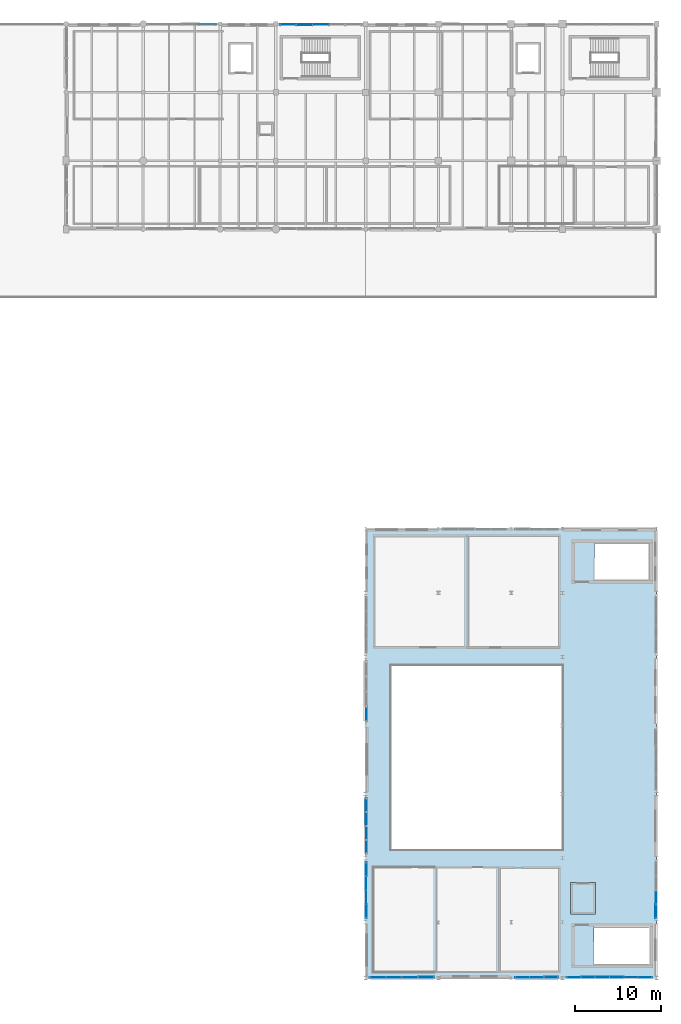
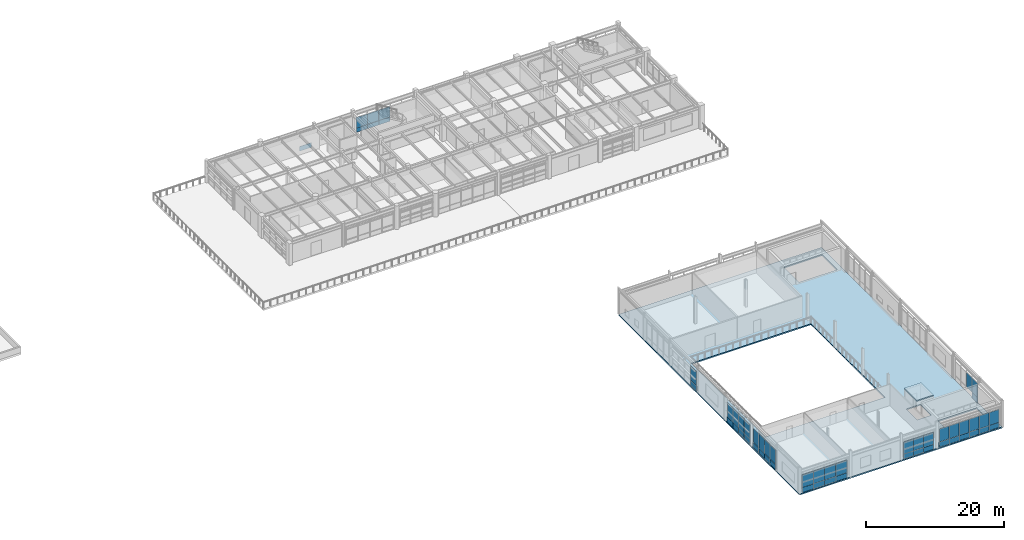
# One storey, part 43 of 56: 54 plates, 2 slabs, 9 elements without a shape of their own.
"""IFC4 building model written with IfcOpenShell, lengths in metres."""

from ifc_helpers import new_model, si_unit, direction, frame, origin, origin_2d, place, context, subcontext, project, spatial, polyline, rectangle, outline, extrude, material, layer, layer_set, type_object, element, aggregate, save


model = new_model("IFC4")

# Units and contexts
model_context = context("Model", 3, precision=1e-05, world=origin(), true_north=direction((0.0, 1.0)))
body_context = subcontext(model_context, "Body", "Model", "MODEL_VIEW")
ifc_project = project(units=[si_unit("LENGTHUNIT", "METRE"), si_unit("AREAUNIT", "SQUARE_METRE"), si_unit("VOLUMEUNIT", "CUBIC_METRE"), si_unit("PLANEANGLEUNIT", "RADIAN"), si_unit("MASSUNIT", "GRAM", prefix="KILO"), si_unit("THERMODYNAMICTEMPERATUREUNIT", "KELVIN"), si_unit("POWERUNIT", "WATT")], contexts=[model_context])

# Site, building, storey
site_placement = place(None, origin())
site = spatial("IfcSite", under=ifc_project, at=site_placement, CompositionType="ELEMENT")
building_placement = place(site_placement, origin())
building = spatial("IfcBuilding", under=site, at=building_placement, Name="Tepalcoro Natatorium and Aquatics Centre", CompositionType="ELEMENT")
storey_placement = place(building_placement, frame((0.0, 0.0, 14.800048828125)))
storey = spatial("IfcBuildingStorey", under=building, at=storey_placement, Name="L03", CompositionType="ELEMENT", Elevation=14.800048828125)

# Curtain wall, plate
ifc_material_1 = material(Name="Bronze-Anodised Extruded Aluminium Alloy EN AW-6063 T6", Category="aluminium")
curtain_wall_type_1 = type_object("IfcCurtainWallType", Name="CW_V2_DIVING", PredefinedType="USERDEFINED", material=ifc_material_1)
curtain_wall_1_placement = place(storey_placement, origin())
curtain_wall_1 = element("IfcCurtainWall", 1, at=curtain_wall_1_placement, inside=storey, type_object=curtain_wall_type_1, Name="V2 L03 S Unitised Curtain Wall Bay 1", ObjectType="FACETED SOLAR GLAZING", PredefinedType="USERDEFINED")
ifc_material_2 = material(Name="Solar-Control Bronze Tempered Low-E Double Glazing", Category="glass")
ifc_layer_1 = layer(ifc_material_2, 0.048095703125)
ifc_layer_set_1 = layer_set([ifc_layer_1], Name="Solar-Control Bronze Tempered Low-E Double Glazing")
plate_type_1 = type_object("IfcPlateType", Name="PL_ACOUSTIC_IGU_48", PredefinedType="CURTAIN_PANEL", material=ifc_layer_set_1)
plate_1_placement = place(storey_placement, frame((145.3076171875, 6.576171875, 0.949951171875), z_axis=(0.0, 0.0, 1.0), x_axis=(1.0, 0.0, 0.0)))
plate_1 = element("IfcPlate", 2, at=plate_1_placement, type_object=plate_type_1, Name="CW_V2_DIVING Insulated Glazing Unit", PredefinedType="CURTAIN_PANEL", context=body_context, shape_type="SweptSolid", body=[
    extrude(rectangle(XDim=1.864990234375, YDim=0.048095703125, at=origin_2d()), origin(), (0.0, 0.0, 1.0), 2.25),
])

curtain_wall_type_2 = type_object("IfcCurtainWallType", Name="CW_V4_VILLAGE", PredefinedType="USERDEFINED", material=ifc_material_1)
curtain_wall_2_placement = place(storey_placement, origin())
curtain_wall_2 = element("IfcCurtainWall", 3, at=curtain_wall_2_placement, inside=storey, type_object=curtain_wall_type_2, Name="V2 L03 S Unitised Curtain Wall Bay 3", ObjectType="UNITISED STOREFRONT", PredefinedType="USERDEFINED")
plate_2_placement = place(storey_placement, frame((160.320068359375, 6.576171875, 0.912109375), z_axis=(0.0, 0.0, 1.0), x_axis=(1.0, 0.0, 0.0)))
plate_2 = element("IfcPlate", 4, at=plate_2_placement, type_object=plate_type_1, Name="CW_V4_VILLAGE Insulated Glazing Unit", PredefinedType="CURTAIN_PANEL", context=body_context, shape_type="SweptSolid", body=[
    extrude(rectangle(XDim=1.659912109375, YDim=0.048095703125, at=origin_2d()), origin(), (0.0, 0.0, 1.0), 2.135986328125),
])

# Curtain wall, plates
curtain_wall_type_3 = type_object("IfcCurtainWallType", Name="CW_V5_LOWER", PredefinedType="USERDEFINED", material=ifc_material_1)
curtain_wall_3_placement = place(storey_placement, origin())
curtain_wall_3 = element("IfcCurtainWall", 5, at=curtain_wall_3_placement, inside=storey, type_object=curtain_wall_type_3, Name="V2 L03 S Unitised Curtain Wall Bay 4", ObjectType="UNITISED STOREFRONT", PredefinedType="USERDEFINED")
plate_3_placement = place(storey_placement, frame((169.663330078125, 6.580078125, 0.9599609375), z_axis=(0.0, 0.0, 1.0), x_axis=(1.0, 0.0, 0.0)))
plate_3 = element("IfcPlate", 6, at=plate_3_placement, type_object=plate_type_1, Name="CW_V5_LOWER Insulated Glazing Unit", PredefinedType="CURTAIN_PANEL", context=body_context, shape_type="SweptSolid", body=[
    extrude(rectangle(XDim=1.6533203125, YDim=0.048095703125, at=origin_2d()), origin(), (0.0, 0.0, 1.0), 2.287109375),
])
plate_4_placement = place(storey_placement, frame((174.683349609375, 6.580078125, 0.9599609375), z_axis=(0.0, 0.0, 1.0), x_axis=(1.0, 0.0, 0.0)))
plate_4 = element("IfcPlate", 7, at=plate_4_placement, type_object=plate_type_1, Name="CW_V5_LOWER Insulated Glazing Unit", PredefinedType="CURTAIN_PANEL", context=body_context, shape_type="SweptSolid", body=[
    extrude(rectangle(XDim=1.6533203125, YDim=0.048095703125, at=origin_2d()), origin(), (0.0, 0.0, 1.0), 2.287109375),
])

# Curtain wall, plate
curtain_wall_type_4 = type_object("IfcCurtainWallType", Name="CW_LEAN_T1_NS", PredefinedType="USERDEFINED", material=ifc_material_1)
curtain_wall_4_placement = place(storey_placement, origin())
curtain_wall_4 = element("IfcCurtainWall", 8, at=curtain_wall_4_placement, inside=storey, type_object=curtain_wall_type_4, Name="V2 L03 W Unitised Curtain Wall Bay 2", ObjectType="FACETED SOLAR GLAZING", PredefinedType="USERDEFINED")
plate_5_placement = place(storey_placement, frame((142.06494140625, 17.5673828125, 0.9599609375), z_axis=(0.0, 0.0, 1.0), x_axis=(1.0, 0.0, 0.0)))
plate_5 = element("IfcPlate", 9, at=plate_5_placement, type_object=plate_type_1, Name="CW_LEAN_T1_NS Insulated Glazing Unit", PredefinedType="CURTAIN_PANEL", context=body_context, shape_type="SweptSolid", body=[
    extrude(rectangle(XDim=0.048095703125, YDim=1.614990234375, at=origin_2d()), origin(), (0.0, 0.0, 1.0), 2.530029296875),
])

curtain_wall_type_5 = type_object("IfcCurtainWallType", Name="CW_LEAN_T1_EW", PredefinedType="USERDEFINED", material=ifc_material_1)
curtain_wall_5_placement = place(storey_placement, origin())
curtain_wall_5 = element("IfcCurtainWall", 10, at=curtain_wall_5_placement, inside=storey, type_object=curtain_wall_type_5, Name="V2 L03 W Unitised Curtain Wall Bay 3", ObjectType="FACETED SOLAR GLAZING", PredefinedType="USERDEFINED")
plate_6_placement = place(storey_placement, frame((142.0712890625, 23.4326171875, 0.9599609375), z_axis=(0.0, 0.0, 1.0), x_axis=(1.0, 0.0, 0.0)))
plate_6 = element("IfcPlate", 11, at=plate_6_placement, type_object=plate_type_1, Name="CW_LEAN_T1_EW Insulated Glazing Unit", PredefinedType="CURTAIN_PANEL", context=body_context, shape_type="SweptSolid", body=[
    extrude(rectangle(XDim=0.048095703125, YDim=1.614990234375, at=origin_2d()), origin(), (0.0, 0.0, 1.0), 2.530029296875),
])

curtain_wall_type_6 = type_object("IfcCurtainWallType", Name="CW_LEAN_T2_EW", PredefinedType="USERDEFINED", material=ifc_material_1)
curtain_wall_6_placement = place(storey_placement, origin())
curtain_wall_6 = element("IfcCurtainWall", 12, at=curtain_wall_6_placement, inside=storey, type_object=curtain_wall_type_6, Name="V2 L03 W Unitised Curtain Wall Bay 5", ObjectType="FACETED SOLAR GLAZING", PredefinedType="USERDEFINED")
plate_7_placement = place(storey_placement, frame((142.0712890625, 37.360107421875, 0.9599609375), z_axis=(0.0, 0.0, 1.0), x_axis=(1.0, 0.0, 0.0)))
plate_7 = element("IfcPlate", 13, at=plate_7_placement, type_object=plate_type_1, Name="CW_LEAN_T2_EW Insulated Glazing Unit", PredefinedType="CURTAIN_PANEL", context=body_context, shape_type="SweptSolid", body=[
    extrude(rectangle(XDim=0.048095703125, YDim=1.739990234375, at=origin_2d()), origin(), (0.0, 0.0, 1.0), 2.530029296875),
])

curtain_wall_type_7 = type_object("IfcCurtainWallType", Name="CW_LEAN_T2_NS", PredefinedType="USERDEFINED", material=ifc_material_1)
curtain_wall_7_placement = place(storey_placement, origin())
curtain_wall_7 = element("IfcCurtainWall", 14, at=curtain_wall_7_placement, inside=storey, type_object=curtain_wall_type_7, Name="V2 L03 E Unitised Curtain Wall Bay 2", ObjectType="FACETED SOLAR GLAZING", PredefinedType="USERDEFINED")
plate_8_placement = place(storey_placement, frame((175.923828125, 15.9326171875, 0.9599609375), z_axis=(0.0, 0.0, 1.0), x_axis=(1.0, 0.0, 0.0)))
plate_8 = element("IfcPlate", 15, at=plate_8_placement, type_object=plate_type_1, Name="CW_LEAN_T2_NS Insulated Glazing Unit", PredefinedType="CURTAIN_PANEL", context=body_context, shape_type="SweptSolid", body=[
    extrude(rectangle(XDim=0.048095703125, YDim=1.614990234375, at=origin_2d()), origin(), (0.0, 0.0, 1.0), 2.530029296875),
])

curtain_wall_8_placement = place(storey_placement, origin())
curtain_wall_8 = element("IfcCurtainWall", 16, at=curtain_wall_8_placement, inside=storey, type_object=curtain_wall_type_6, Name="V5 L03 N Unitised Curtain Wall Bay 4", ObjectType="FACETED SOLAR GLAZING", PredefinedType="USERDEFINED")
plate_9_placement = place(storey_placement, frame((132.93408203125, 117.919921875, 0.804443359375), z_axis=(0.0, 0.0, 1.0), x_axis=(1.0, 0.0, 0.0)))
plate_9 = element("IfcPlate", 17, at=plate_9_placement, type_object=plate_type_1, Name="CW_LEAN_T2_EW Insulated Glazing Unit", PredefinedType="CURTAIN_PANEL", context=body_context, shape_type="SweptSolid", body=[
    extrude(rectangle(XDim=1.887939453125, YDim=0.048095703125, at=origin_2d()), origin(), (0.0, 0.0, 1.0), 1.85498046875),
])

# Plate
ifc_layer_2 = layer(ifc_material_2, 0.028076171875)
ifc_layer_set_2 = layer_set([ifc_layer_2], Name="Solar-Control Bronze Tempered Low-E Double Glazing")
plate_type_2 = type_object("IfcPlateType", Name="PL_BRONZE_IGU_28", PredefinedType="CURTAIN_PANEL", material=ifc_layer_set_2)
plate_10_placement = place(storey_placement, frame((143.422607421875, 6.576171875, 0.949951171875), z_axis=(0.0, 0.0, 1.0), x_axis=(1.0, 0.0, 0.0)))
plate_10 = element("IfcPlate", 18, at=plate_10_placement, type_object=plate_type_2, Name="CW_V2_DIVING Insulated Glazing Unit", PredefinedType="CURTAIN_PANEL", context=body_context, shape_type="SweptSolid", body=[
    extrude(rectangle(XDim=1.864990234375, YDim=0.028076171875, at=origin_2d()), origin(), (0.0, 0.0, 1.0), 2.25),
])

plate_11_placement = place(storey_placement, frame((149.077392578125, 6.576171875, 0.949951171875), z_axis=(0.0, 0.0, 1.0), x_axis=(1.0, 0.0, 0.0)))
plate_11 = element("IfcPlate", 19, at=plate_11_placement, type_object=plate_type_2, Name="CW_V2_DIVING Insulated Glazing Unit", PredefinedType="CURTAIN_PANEL", context=body_context, shape_type="SweptSolid", body=[
    extrude(rectangle(XDim=1.864990234375, YDim=0.028076171875, at=origin_2d()), origin(), (0.0, 0.0, 1.0), 2.25),
])

plate_12_placement = place(storey_placement, frame((163.679931640625, 6.576171875, 0.912109375), z_axis=(0.0, 0.0, 1.0), x_axis=(1.0, 0.0, 0.0)))
plate_12 = element("IfcPlate", 20, at=plate_12_placement, type_object=plate_type_2, Name="CW_V4_VILLAGE Insulated Glazing Unit", PredefinedType="CURTAIN_PANEL", context=body_context, shape_type="SweptSolid", body=[
    extrude(rectangle(XDim=1.659912109375, YDim=0.028076171875, at=origin_2d()), origin(), (0.0, 0.0, 1.0), 2.135986328125),
])

plate_13_placement = place(storey_placement, frame((167.989990234375, 6.580078125, 0.9599609375), z_axis=(0.0, 0.0, 1.0), x_axis=(1.0, 0.0, 0.0)))
plate_13 = element("IfcPlate", 21, at=plate_13_placement, type_object=plate_type_2, Name="CW_V5_LOWER Insulated Glazing Unit", PredefinedType="CURTAIN_PANEL", context=body_context, shape_type="SweptSolid", body=[
    extrude(rectangle(XDim=1.6533203125, YDim=0.028076171875, at=origin_2d()), origin(), (0.0, 0.0, 1.0), 2.287109375),
])

plate_14_placement = place(storey_placement, frame((173.010009765625, 6.580078125, 0.9599609375), z_axis=(0.0, 0.0, 1.0), x_axis=(1.0, 0.0, 0.0)))
plate_14 = element("IfcPlate", 22, at=plate_14_placement, type_object=plate_type_2, Name="CW_V5_LOWER Insulated Glazing Unit", PredefinedType="CURTAIN_PANEL", context=body_context, shape_type="SweptSolid", body=[
    extrude(rectangle(XDim=1.6533203125, YDim=0.028076171875, at=origin_2d()), origin(), (0.0, 0.0, 1.0), 2.287109375),
])

plate_15_placement = place(storey_placement, frame((142.06494140625, 15.9326171875, 0.9599609375), z_axis=(0.0, 0.0, 1.0), x_axis=(1.0, 0.0, 0.0)))
plate_15 = element("IfcPlate", 23, at=plate_15_placement, type_object=plate_type_2, Name="CW_LEAN_T1_NS Insulated Glazing Unit", PredefinedType="CURTAIN_PANEL", context=body_context, shape_type="SweptSolid", body=[
    extrude(rectangle(XDim=0.028076171875, YDim=1.614990234375, at=origin_2d()), origin(), (0.0, 0.0, 1.0), 2.530029296875),
])

plate_16_placement = place(storey_placement, frame((142.0712890625, 21.797607421875, 0.9599609375), z_axis=(0.0, 0.0, 1.0), x_axis=(1.0, 0.0, 0.0)))
plate_16 = element("IfcPlate", 24, at=plate_16_placement, type_object=plate_type_2, Name="CW_LEAN_T1_EW Insulated Glazing Unit", PredefinedType="CURTAIN_PANEL", context=body_context, shape_type="SweptSolid", body=[
    extrude(rectangle(XDim=0.028076171875, YDim=1.614990234375, at=origin_2d()), origin(), (0.0, 0.0, 1.0), 2.530029296875),
])

plate_17_placement = place(storey_placement, frame((142.0712890625, 26.702392578125, 0.9599609375), z_axis=(0.0, 0.0, 1.0), x_axis=(1.0, 0.0, 0.0)))
plate_17 = element("IfcPlate", 25, at=plate_17_placement, type_object=plate_type_2, Name="CW_LEAN_T1_EW Insulated Glazing Unit", PredefinedType="CURTAIN_PANEL", context=body_context, shape_type="SweptSolid", body=[
    extrude(rectangle(XDim=0.028076171875, YDim=1.614990234375, at=origin_2d()), origin(), (0.0, 0.0, 1.0), 2.530029296875),
])

plate_18_placement = place(storey_placement, frame((175.923828125, 14.297607421875, 0.9599609375), z_axis=(0.0, 0.0, 1.0), x_axis=(1.0, 0.0, 0.0)))
plate_18 = element("IfcPlate", 26, at=plate_18_placement, type_object=plate_type_2, Name="CW_LEAN_T2_NS Insulated Glazing Unit", PredefinedType="CURTAIN_PANEL", context=body_context, shape_type="SweptSolid", body=[
    extrude(rectangle(XDim=0.028076171875, YDim=1.614990234375, at=origin_2d()), origin(), (0.0, 0.0, 1.0), 2.530029296875),
])

plate_19_placement = place(storey_placement, frame((136.75, 117.919921875, 0.804443359375), z_axis=(0.0, 0.0, 1.0), x_axis=(1.0, 0.0, 0.0)))
plate_19 = element("IfcPlate", 27, at=plate_19_placement, type_object=plate_type_2, Name="CW_LEAN_T2_EW Insulated Glazing Unit", PredefinedType="CURTAIN_PANEL", context=body_context, shape_type="SweptSolid", body=[
    extrude(rectangle(XDim=1.887939453125, YDim=0.028076171875, at=origin_2d()), origin(), (0.0, 0.0, 1.0), 1.85498046875),
])

ifc_material_3 = material(Name="Jalisco Cantera Rosa Volcanic Tuff Ashlar Masonry", Category="masonry")
ifc_layer_3 = layer(ifc_material_3, 0.090087890625)
ifc_layer_set_3 = layer_set([ifc_layer_3], Name="Jalisco Cantera Rosa Volcanic Tuff Ashlar Masonry")
plate_type_3 = type_object("IfcPlateType", Name="PL_CANTERA_90", PredefinedType="SHEET", material=ifc_layer_set_3)
plate_20_placement = place(storey_placement, frame((149.077392578125, 6.576171875, 0.044921875), z_axis=(0.0, 0.0, 1.0), x_axis=(1.0, 0.0, 0.0)))
plate_20 = element("IfcPlate", 28, at=plate_20_placement, type_object=plate_type_3, Name="CW_V2_DIVING Spandrel & Screen Panel", PredefinedType="SHEET", context=body_context, shape_type="SweptSolid", body=[
    extrude(rectangle(XDim=1.864990234375, YDim=0.090087890625, at=origin_2d()), origin(), (0.0, 0.0, 1.0), 0.89990234375),
])

plate_21_placement = place(storey_placement, frame((163.679931640625, 6.576171875, 0.044921875), z_axis=(0.0, 0.0, 1.0), x_axis=(1.0, 0.0, 0.0)))
plate_21 = element("IfcPlate", 29, at=plate_21_placement, type_object=plate_type_3, Name="CW_V4_VILLAGE Spandrel & Screen Panel", PredefinedType="SHEET", context=body_context, shape_type="SweptSolid", body=[
    extrude(rectangle(XDim=1.659912109375, YDim=0.090087890625, at=origin_2d()), origin(), (0.0, 0.0, 1.0), 0.862060546875),
])

plate_22_placement = place(storey_placement, frame((167.989990234375, 6.580078125, 0.044921875), z_axis=(0.0, 0.0, 1.0), x_axis=(1.0, 0.0, 0.0)))
plate_22 = element("IfcPlate", 30, at=plate_22_placement, type_object=plate_type_3, Name="CW_V5_LOWER Spandrel & Screen Panel", PredefinedType="SHEET", context=body_context, shape_type="SweptSolid", body=[
    extrude(rectangle(XDim=1.6533203125, YDim=0.090087890625, at=origin_2d()), origin(), (0.0, 0.0, 1.0), 0.909912109375),
])

plate_23_placement = place(storey_placement, frame((142.06494140625, 19.202392578125, 0.044921875), z_axis=(0.0, 0.0, 1.0), x_axis=(1.0, 0.0, 0.0)))
plate_23 = element("IfcPlate", 31, at=plate_23_placement, type_object=plate_type_3, Name="CW_LEAN_T1_NS Spandrel & Screen Panel", PredefinedType="SHEET", context=body_context, shape_type="SweptSolid", body=[
    extrude(rectangle(XDim=0.090087890625, YDim=1.614990234375, at=origin_2d()), origin(), (0.0, 0.0, 1.0), 0.909912109375),
])

plate_24_placement = place(storey_placement, frame((142.0712890625, 25.0673828125, 0.044921875), z_axis=(0.0, 0.0, 1.0), x_axis=(1.0, 0.0, 0.0)))
plate_24 = element("IfcPlate", 32, at=plate_24_placement, type_object=plate_type_3, Name="CW_LEAN_T1_EW Spandrel & Screen Panel", PredefinedType="SHEET", context=body_context, shape_type="SweptSolid", body=[
    extrude(rectangle(XDim=0.090087890625, YDim=1.614990234375, at=origin_2d()), origin(), (0.0, 0.0, 1.0), 0.909912109375),
])

plate_25_placement = place(storey_placement, frame((132.93408203125, 117.919921875, 0.044921875), z_axis=(0.0, 0.0, 1.0), x_axis=(1.0, 0.0, 0.0)))
plate_25 = element("IfcPlate", 33, at=plate_25_placement, type_object=plate_type_3, Name="CW_LEAN_T2_EW Spandrel & Screen Panel", PredefinedType="SHEET", context=body_context, shape_type="SweptSolid", body=[
    extrude(rectangle(XDim=1.887939453125, YDim=0.090087890625, at=origin_2d()), origin(), (0.0, 0.0, 1.0), 0.75439453125),
])

ifc_material_4 = material(Name="Clear Tempered Low-E Safety Glazing", Category="glass")
ifc_layer_4 = layer(ifc_material_4, 0.011962890625)
ifc_layer_set_4 = layer_set([ifc_layer_4], Name="Clear Tempered Low-E Safety Glazing")
plate_type_4 = type_object("IfcPlateType", Name="PL_GLASS_12", PredefinedType="CURTAIN_PANEL", material=ifc_layer_set_4)
plate_26_placement = place(storey_placement, frame((147.1923828125, 6.576171875, 0.949951171875), z_axis=(0.0, 0.0, 1.0), x_axis=(1.0, 0.0, 0.0)))
plate_26 = element("IfcPlate", 34, at=plate_26_placement, type_object=plate_type_4, Name="CW_V2_DIVING Insulated Glazing Unit", PredefinedType="CURTAIN_PANEL", context=body_context, shape_type="SweptSolid", body=[
    extrude(rectangle(XDim=1.864990234375, YDim=0.011962890625, at=origin_2d()), origin(), (0.0, 0.0, 1.0), 2.25),
])

plate_27_placement = place(storey_placement, frame((162.0, 6.576171875, 0.912109375), z_axis=(0.0, 0.0, 1.0), x_axis=(1.0, 0.0, 0.0)))
plate_27 = element("IfcPlate", 35, at=plate_27_placement, type_object=plate_type_4, Name="CW_V4_VILLAGE Insulated Glazing Unit", PredefinedType="CURTAIN_PANEL", context=body_context, shape_type="SweptSolid", body=[
    extrude(rectangle(XDim=1.659912109375, YDim=0.011962890625, at=origin_2d()), origin(), (0.0, 0.0, 1.0), 2.135986328125),
])

plate_28_placement = place(storey_placement, frame((166.316650390625, 6.580078125, 0.9599609375), z_axis=(0.0, 0.0, 1.0), x_axis=(1.0, 0.0, 0.0)))
plate_28 = element("IfcPlate", 36, at=plate_28_placement, type_object=plate_type_4, Name="CW_V5_LOWER Insulated Glazing Unit", PredefinedType="CURTAIN_PANEL", context=body_context, shape_type="SweptSolid", body=[
    extrude(rectangle(XDim=1.6533203125, YDim=0.011962890625, at=origin_2d()), origin(), (0.0, 0.0, 1.0), 2.287109375),
])

plate_29_placement = place(storey_placement, frame((171.336669921875, 6.580078125, 0.9599609375), z_axis=(0.0, 0.0, 1.0), x_axis=(1.0, 0.0, 0.0)))
plate_29 = element("IfcPlate", 37, at=plate_29_placement, type_object=plate_type_4, Name="CW_V5_LOWER Insulated Glazing Unit", PredefinedType="CURTAIN_PANEL", context=body_context, shape_type="SweptSolid", body=[
    extrude(rectangle(XDim=1.6533203125, YDim=0.011962890625, at=origin_2d()), origin(), (0.0, 0.0, 1.0), 2.287109375),
])

plate_30_placement = place(storey_placement, frame((142.06494140625, 14.297607421875, 0.9599609375), z_axis=(0.0, 0.0, 1.0), x_axis=(1.0, 0.0, 0.0)))
plate_30 = element("IfcPlate", 38, at=plate_30_placement, type_object=plate_type_4, Name="CW_LEAN_T1_NS Insulated Glazing Unit", PredefinedType="CURTAIN_PANEL", context=body_context, shape_type="SweptSolid", body=[
    extrude(rectangle(XDim=0.011962890625, YDim=1.614990234375, at=origin_2d()), origin(), (0.0, 0.0, 1.0), 2.530029296875),
])

plate_31_placement = place(storey_placement, frame((142.06494140625, 19.202392578125, 0.9599609375), z_axis=(0.0, 0.0, 1.0), x_axis=(1.0, 0.0, 0.0)))
plate_31 = element("IfcPlate", 39, at=plate_31_placement, type_object=plate_type_4, Name="CW_LEAN_T1_NS Insulated Glazing Unit", PredefinedType="CURTAIN_PANEL", context=body_context, shape_type="SweptSolid", body=[
    extrude(rectangle(XDim=0.011962890625, YDim=1.614990234375, at=origin_2d()), origin(), (0.0, 0.0, 1.0), 2.530029296875),
])

plate_32_placement = place(storey_placement, frame((142.0712890625, 25.0673828125, 0.9599609375), z_axis=(0.0, 0.0, 1.0), x_axis=(1.0, 0.0, 0.0)))
plate_32 = element("IfcPlate", 40, at=plate_32_placement, type_object=plate_type_4, Name="CW_LEAN_T1_EW Insulated Glazing Unit", PredefinedType="CURTAIN_PANEL", context=body_context, shape_type="SweptSolid", body=[
    extrude(rectangle(XDim=0.011962890625, YDim=1.614990234375, at=origin_2d()), origin(), (0.0, 0.0, 1.0), 2.530029296875),
])

plate_33_placement = place(storey_placement, frame((134.842041015625, 117.919921875, 0.804443359375), z_axis=(0.0, 0.0, 1.0), x_axis=(1.0, 0.0, 0.0)))
plate_33 = element("IfcPlate", 41, at=plate_33_placement, type_object=plate_type_4, Name="CW_LEAN_T2_EW Insulated Glazing Unit", PredefinedType="CURTAIN_PANEL", context=body_context, shape_type="SweptSolid", body=[
    extrude(rectangle(XDim=1.887939453125, YDim=0.011962890625, at=origin_2d()), origin(), (0.0, 0.0, 1.0), 1.85498046875),
])

ifc_material_5 = material(Name="Volcanic Recinto Basalt Ashlar Masonry", Category="masonry")
ifc_layer_5 = layer(ifc_material_5, 0.110107421875)
ifc_layer_set_5 = layer_set([ifc_layer_5], Name="Volcanic Recinto Basalt Ashlar Masonry")
plate_type_5 = type_object("IfcPlateType", Name="PL_RECINTO_110", PredefinedType="SHEET", material=ifc_layer_set_5)
plate_34_placement = place(storey_placement, frame((169.663330078125, 6.580078125, 0.044921875), z_axis=(0.0, 0.0, 1.0), x_axis=(1.0, 0.0, 0.0)))
plate_34 = element("IfcPlate", 42, at=plate_34_placement, type_object=plate_type_5, Name="CW_V5_LOWER Spandrel & Screen Panel", PredefinedType="SHEET", context=body_context, shape_type="SweptSolid", body=[
    extrude(rectangle(XDim=1.6533203125, YDim=0.110107421875, at=origin_2d()), origin(), (0.0, 0.0, 1.0), 0.909912109375),
])

plate_35_placement = place(storey_placement, frame((142.0712890625, 26.702392578125, 0.044921875), z_axis=(0.0, 0.0, 1.0), x_axis=(1.0, 0.0, 0.0)))
plate_35 = element("IfcPlate", 43, at=plate_35_placement, type_object=plate_type_5, Name="CW_LEAN_T1_EW Spandrel & Screen Panel", PredefinedType="SHEET", context=body_context, shape_type="SweptSolid", body=[
    extrude(rectangle(XDim=0.110107421875, YDim=1.614990234375, at=origin_2d()), origin(), (0.0, 0.0, 1.0), 0.909912109375),
])

plate_36_placement = place(storey_placement, frame((175.923828125, 14.297607421875, 0.044921875), z_axis=(0.0, 0.0, 1.0), x_axis=(1.0, 0.0, 0.0)))
plate_36 = element("IfcPlate", 44, at=plate_36_placement, type_object=plate_type_5, Name="CW_LEAN_T2_NS Spandrel & Screen Panel", PredefinedType="SHEET", context=body_context, shape_type="SweptSolid", body=[
    extrude(rectangle(XDim=0.110107421875, YDim=1.614990234375, at=origin_2d()), origin(), (0.0, 0.0, 1.0), 0.909912109375),
])

aggregate(curtain_wall_7, [plate_18, plate_36, plate_8])

plate_37_placement = place(storey_placement, frame((134.842041015625, 117.919921875, 0.044921875), z_axis=(0.0, 0.0, 1.0), x_axis=(1.0, 0.0, 0.0)))
plate_37 = element("IfcPlate", 45, at=plate_37_placement, type_object=plate_type_5, Name="CW_LEAN_T2_EW Spandrel & Screen Panel", PredefinedType="SHEET", context=body_context, shape_type="SweptSolid", body=[
    extrude(rectangle(XDim=1.887939453125, YDim=0.110107421875, at=origin_2d()), origin(), (0.0, 0.0, 1.0), 0.75439453125),
])

ifc_layer_6 = layer(ifc_material_1, 0.050048828125)
ifc_layer_set_6 = layer_set([ifc_layer_6], Name="Bronze-Anodised Extruded Aluminium Alloy EN AW-6063 T6")
plate_type_6 = type_object("IfcPlateType", Name="PL_SCREEN_50", PredefinedType="SHEET", material=ifc_layer_set_6)
plate_38_placement = place(storey_placement, frame((145.3076171875, 6.576171875, 0.044921875), z_axis=(0.0, 0.0, 1.0), x_axis=(1.0, 0.0, 0.0)))
plate_38 = element("IfcPlate", 46, at=plate_38_placement, type_object=plate_type_6, Name="CW_V2_DIVING Spandrel & Screen Panel", PredefinedType="SHEET", context=body_context, shape_type="SweptSolid", body=[
    extrude(rectangle(XDim=1.864990234375, YDim=0.050048828125, at=origin_2d()), origin(), (0.0, 0.0, 1.0), 0.89990234375),
])

plate_39_placement = place(storey_placement, frame((160.320068359375, 6.576171875, 0.044921875), z_axis=(0.0, 0.0, 1.0), x_axis=(1.0, 0.0, 0.0)))
plate_39 = element("IfcPlate", 47, at=plate_39_placement, type_object=plate_type_6, Name="CW_V4_VILLAGE Spandrel & Screen Panel", PredefinedType="SHEET", context=body_context, shape_type="SweptSolid", body=[
    extrude(rectangle(XDim=1.659912109375, YDim=0.050048828125, at=origin_2d()), origin(), (0.0, 0.0, 1.0), 0.862060546875),
])

plate_40_placement = place(storey_placement, frame((173.010009765625, 6.580078125, 0.044921875), z_axis=(0.0, 0.0, 1.0), x_axis=(1.0, 0.0, 0.0)))
plate_40 = element("IfcPlate", 48, at=plate_40_placement, type_object=plate_type_6, Name="CW_V5_LOWER Spandrel & Screen Panel", PredefinedType="SHEET", context=body_context, shape_type="SweptSolid", body=[
    extrude(rectangle(XDim=1.6533203125, YDim=0.050048828125, at=origin_2d()), origin(), (0.0, 0.0, 1.0), 0.909912109375),
])

plate_41_placement = place(storey_placement, frame((142.06494140625, 15.9326171875, 0.044921875), z_axis=(0.0, 0.0, 1.0), x_axis=(1.0, 0.0, 0.0)))
plate_41 = element("IfcPlate", 49, at=plate_41_placement, type_object=plate_type_6, Name="CW_LEAN_T1_NS Spandrel & Screen Panel", PredefinedType="SHEET", context=body_context, shape_type="SweptSolid", body=[
    extrude(rectangle(XDim=0.050048828125, YDim=1.614990234375, at=origin_2d()), origin(), (0.0, 0.0, 1.0), 0.909912109375),
])

plate_42_placement = place(storey_placement, frame((142.0712890625, 21.797607421875, 0.044921875), z_axis=(0.0, 0.0, 1.0), x_axis=(1.0, 0.0, 0.0)))
plate_42 = element("IfcPlate", 50, at=plate_42_placement, type_object=plate_type_6, Name="CW_LEAN_T1_EW Spandrel & Screen Panel", PredefinedType="SHEET", context=body_context, shape_type="SweptSolid", body=[
    extrude(rectangle(XDim=0.050048828125, YDim=1.614990234375, at=origin_2d()), origin(), (0.0, 0.0, 1.0), 0.909912109375),
])

ifc_layer_7 = layer(ifc_material_1, 0.06005859375)
ifc_layer_set_7 = layer_set([ifc_layer_7], Name="Bronze-Anodised Extruded Aluminium Alloy EN AW-6063 T6")
plate_type_7 = type_object("IfcPlateType", Name="PL_SCREEN_60", PredefinedType="SHEET", material=ifc_layer_set_7)
plate_43_placement = place(storey_placement, frame((147.1923828125, 6.576171875, 0.044921875), z_axis=(0.0, 0.0, 1.0), x_axis=(1.0, 0.0, 0.0)))
plate_43 = element("IfcPlate", 51, at=plate_43_placement, type_object=plate_type_7, Name="CW_V2_DIVING Spandrel & Screen Panel", PredefinedType="SHEET", context=body_context, shape_type="SweptSolid", body=[
    extrude(rectangle(XDim=1.864990234375, YDim=0.06005859375, at=origin_2d()), origin(), (0.0, 0.0, 1.0), 0.89990234375),
])

plate_44_placement = place(storey_placement, frame((162.0, 6.576171875, 0.044921875), z_axis=(0.0, 0.0, 1.0), x_axis=(1.0, 0.0, 0.0)))
plate_44 = element("IfcPlate", 52, at=plate_44_placement, type_object=plate_type_7, Name="CW_V4_VILLAGE Spandrel & Screen Panel", PredefinedType="SHEET", context=body_context, shape_type="SweptSolid", body=[
    extrude(rectangle(XDim=1.659912109375, YDim=0.06005859375, at=origin_2d()), origin(), (0.0, 0.0, 1.0), 0.862060546875),
])

aggregate(curtain_wall_2, [plate_2, plate_39, plate_27, plate_44, plate_12, plate_21])

plate_45_placement = place(storey_placement, frame((166.316650390625, 6.580078125, 0.044921875), z_axis=(0.0, 0.0, 1.0), x_axis=(1.0, 0.0, 0.0)))
plate_45 = element("IfcPlate", 53, at=plate_45_placement, type_object=plate_type_7, Name="CW_V5_LOWER Spandrel & Screen Panel", PredefinedType="SHEET", context=body_context, shape_type="SweptSolid", body=[
    extrude(rectangle(XDim=1.6533203125, YDim=0.06005859375, at=origin_2d()), origin(), (0.0, 0.0, 1.0), 0.909912109375),
])

plate_46_placement = place(storey_placement, frame((174.683349609375, 6.580078125, 0.044921875), z_axis=(0.0, 0.0, 1.0), x_axis=(1.0, 0.0, 0.0)))
plate_46 = element("IfcPlate", 54, at=plate_46_placement, type_object=plate_type_7, Name="CW_V5_LOWER Spandrel & Screen Panel", PredefinedType="SHEET", context=body_context, shape_type="SweptSolid", body=[
    extrude(rectangle(XDim=1.6533203125, YDim=0.06005859375, at=origin_2d()), origin(), (0.0, 0.0, 1.0), 0.909912109375),
])

plate_47_placement = place(storey_placement, frame((142.06494140625, 17.5673828125, 0.044921875), z_axis=(0.0, 0.0, 1.0), x_axis=(1.0, 0.0, 0.0)))
plate_47 = element("IfcPlate", 55, at=plate_47_placement, type_object=plate_type_7, Name="CW_LEAN_T1_NS Spandrel & Screen Panel", PredefinedType="SHEET", context=body_context, shape_type="SweptSolid", body=[
    extrude(rectangle(XDim=0.06005859375, YDim=1.614990234375, at=origin_2d()), origin(), (0.0, 0.0, 1.0), 0.909912109375),
])

plate_48_placement = place(storey_placement, frame((142.0712890625, 23.4326171875, 0.044921875), z_axis=(0.0, 0.0, 1.0), x_axis=(1.0, 0.0, 0.0)))
plate_48 = element("IfcPlate", 56, at=plate_48_placement, type_object=plate_type_7, Name="CW_LEAN_T1_EW Spandrel & Screen Panel", PredefinedType="SHEET", context=body_context, shape_type="SweptSolid", body=[
    extrude(rectangle(XDim=0.06005859375, YDim=1.614990234375, at=origin_2d()), origin(), (0.0, 0.0, 1.0), 0.909912109375),
])

aggregate(curtain_wall_5, [plate_16, plate_42, plate_6, plate_48, plate_32, plate_24, plate_17, plate_35])

plate_49_placement = place(storey_placement, frame((142.0712890625, 37.360107421875, 0.044921875), z_axis=(0.0, 0.0, 1.0), x_axis=(1.0, 0.0, 0.0)))
plate_49 = element("IfcPlate", 57, at=plate_49_placement, type_object=plate_type_7, Name="CW_LEAN_T2_EW Spandrel & Screen Panel", PredefinedType="SHEET", context=body_context, shape_type="SweptSolid", body=[
    extrude(rectangle(XDim=0.06005859375, YDim=1.739990234375, at=origin_2d()), origin(), (0.0, 0.0, 1.0), 0.909912109375),
])

aggregate(curtain_wall_6, [plate_7, plate_49])

ifc_material_6 = material(Name="Insulated Bronze Anodised Aluminium Spandrel Panel", Category="aluminium")
ifc_layer_8 = layer(ifc_material_6, 0.070068359375)
ifc_layer_set_8 = layer_set([ifc_layer_8], Name="Insulated Bronze Anodised Aluminium Spandrel Panel")
plate_type_8 = type_object("IfcPlateType", Name="PL_SPANDREL_70", PredefinedType="CURTAIN_PANEL", material=ifc_layer_set_8)
plate_50_placement = place(storey_placement, frame((143.422607421875, 6.576171875, 0.044921875), z_axis=(0.0, 0.0, 1.0), x_axis=(1.0, 0.0, 0.0)))
plate_50 = element("IfcPlate", 58, at=plate_50_placement, type_object=plate_type_8, Name="CW_V2_DIVING Spandrel & Screen Panel", PredefinedType="CURTAIN_PANEL", context=body_context, shape_type="SweptSolid", body=[
    extrude(rectangle(XDim=1.864990234375, YDim=0.070068359375, at=origin_2d()), origin(), (0.0, 0.0, 1.0), 0.89990234375),
])

aggregate(curtain_wall_1, [plate_10, plate_50, plate_1, plate_38, plate_26, plate_43, plate_11, plate_20])

plate_51_placement = place(storey_placement, frame((171.336669921875, 6.580078125, 0.044921875), z_axis=(0.0, 0.0, 1.0), x_axis=(1.0, 0.0, 0.0)))
plate_51 = element("IfcPlate", 59, at=plate_51_placement, type_object=plate_type_8, Name="CW_V5_LOWER Spandrel & Screen Panel", PredefinedType="CURTAIN_PANEL", context=body_context, shape_type="SweptSolid", body=[
    extrude(rectangle(XDim=1.6533203125, YDim=0.070068359375, at=origin_2d()), origin(), (0.0, 0.0, 1.0), 0.909912109375),
])

aggregate(curtain_wall_3, [plate_28, plate_45, plate_13, plate_22, plate_3, plate_34, plate_29, plate_51, plate_14, plate_40, plate_4, plate_46])

plate_52_placement = place(storey_placement, frame((142.06494140625, 14.297607421875, 0.044921875), z_axis=(0.0, 0.0, 1.0), x_axis=(1.0, 0.0, 0.0)))
plate_52 = element("IfcPlate", 60, at=plate_52_placement, type_object=plate_type_8, Name="CW_LEAN_T1_NS Spandrel & Screen Panel", PredefinedType="CURTAIN_PANEL", context=body_context, shape_type="SweptSolid", body=[
    extrude(rectangle(XDim=0.070068359375, YDim=1.614990234375, at=origin_2d()), origin(), (0.0, 0.0, 1.0), 0.909912109375),
])

aggregate(curtain_wall_4, [plate_30, plate_52, plate_15, plate_41, plate_5, plate_47, plate_31, plate_23])

# Curtain wall, plate
curtain_wall_9_placement = place(storey_placement, origin())
curtain_wall_9 = element("IfcCurtainWall", 61, at=curtain_wall_9_placement, inside=storey, type_object=curtain_wall_type_5, Name="V5 L03 N Unitised Curtain Wall Bay 2", ObjectType="FACETED SOLAR GLAZING", PredefinedType="USERDEFINED")
plate_53_placement = place(storey_placement, frame((123.514892578125, 117.9287109375, 0.044921875), z_axis=(0.0, 0.0, 1.0), x_axis=(1.0, 0.0, 0.0)))
plate_53 = element("IfcPlate", 62, at=plate_53_placement, type_object=plate_type_8, Name="CW_LEAN_T1_EW Spandrel & Screen Panel", PredefinedType="CURTAIN_PANEL", context=body_context, shape_type="SweptSolid", body=[
    extrude(rectangle(XDim=1.989990234375, YDim=0.070068359375, at=origin_2d()), origin(), (0.0, 0.0, 1.0), 0.79248046875),
])
aggregate(curtain_wall_9, [plate_53])

# Plate
plate_54_placement = place(storey_placement, frame((136.75, 117.919921875, 0.044921875), z_axis=(0.0, 0.0, 1.0), x_axis=(1.0, 0.0, 0.0)))
plate_54 = element("IfcPlate", 63, at=plate_54_placement, type_object=plate_type_8, Name="CW_LEAN_T2_EW Spandrel & Screen Panel", PredefinedType="CURTAIN_PANEL", context=body_context, shape_type="SweptSolid", body=[
    extrude(rectangle(XDim=1.887939453125, YDim=0.070068359375, at=origin_2d()), origin(), (0.0, 0.0, 1.0), 0.75439453125),
])

aggregate(curtain_wall_8, [plate_9, plate_25, plate_33, plate_37, plate_19, plate_54])

# Slabs
ifc_material_7 = material(Name="Concrete C35/45 (fc 35 MPa)", Category="concrete")
ifc_layer_9 = layer(ifc_material_7, 0.219970703125)
ifc_layer_set_9 = layer_set([ifc_layer_9], Name="Concrete C35/45 (fc 35 MPa)")
slab_type_1 = type_object("IfcSlabType", Name="SL_FLOOR_220", PredefinedType="FLOOR", material=ifc_layer_set_9)
slab_1_placement = place(storey_placement, frame((0.0, 0.0, -0.219970703125)))
element("IfcSlab", 64, at=slab_1_placement, inside=storey, type_object=slab_type_1, Name="V2 L03 Natatorium and Civic Floor Slab MAIN", PredefinedType="FLOOR", context=body_context, shape_type="SweptSolid", body=[
    extrude(outline(polyline([(176.0, 6.5), (142.0, 6.5), (142.0, 59.0), (176.0, 59.0), (176.0, 6.5)]), holes=[polyline([(145.0, 21.5), (165.0, 21.5), (165.0, 43.0), (145.0, 43.0), (145.0, 21.5)]), polyline([(168.679931640625, 12.5), (168.679931640625, 8.0), (175.199951171875, 8.0), (175.199951171875, 12.5), (168.679931640625, 12.5)]), polyline([(175.14990234375, 57.35009765625), (168.72998046875, 57.35009765625), (168.72998046875, 52.949951171875), (175.14990234375, 52.949951171875), (175.14990234375, 57.35009765625)]), polyline([(168.60009765625, 14.199951171875), (168.60009765625, 17.39990234375), (166.199951171875, 17.39990234375), (166.199951171875, 14.199951171875), (168.60009765625, 14.199951171875)])]), origin(), (0.0, 0.0, 1.0), 0.219970703125),
])
ifc_layer_10 = layer(ifc_material_7, 0.199951171875)
ifc_layer_set_10 = layer_set([ifc_layer_10], Name="Concrete C35/45 (fc 35 MPa)")
slab_type_2 = type_object("IfcSlabType", Name="SL_LANDING_200", PredefinedType="LANDING", material=ifc_layer_set_10)
slab_2_placement = place(storey_placement, frame((0.0, 0.0, 3.449951171875)))
element("IfcSlab", 65, at=slab_2_placement, inside=storey, type_object=slab_type_2, Name="LF02 Lift Shaft Overrun Cap Slab", PredefinedType="FLOOR", context=body_context, shape_type="SweptSolid", body=[
    extrude(outline(polyline([(165.9599609375, 13.9599609375), (168.840087890625, 13.9599609375), (168.840087890625, 17.639892578125), (165.9599609375, 17.639892578125), (165.9599609375, 13.9599609375)])), origin(), (0.0, 0.0, 1.0), 0.199951171875),
])

save(model, "model.ifc")
